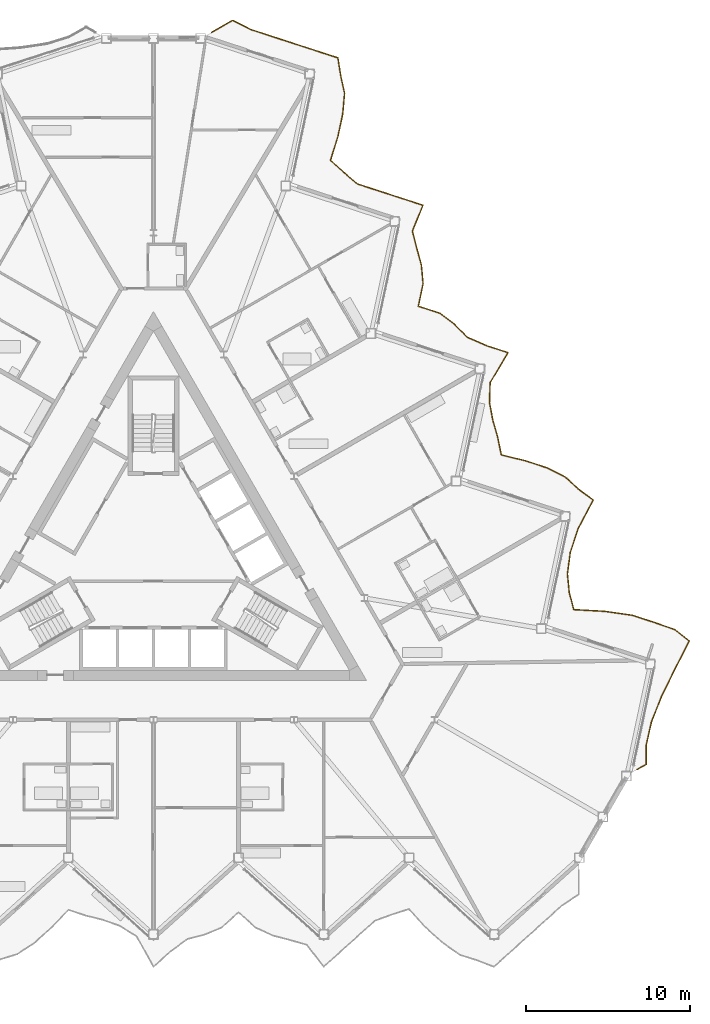
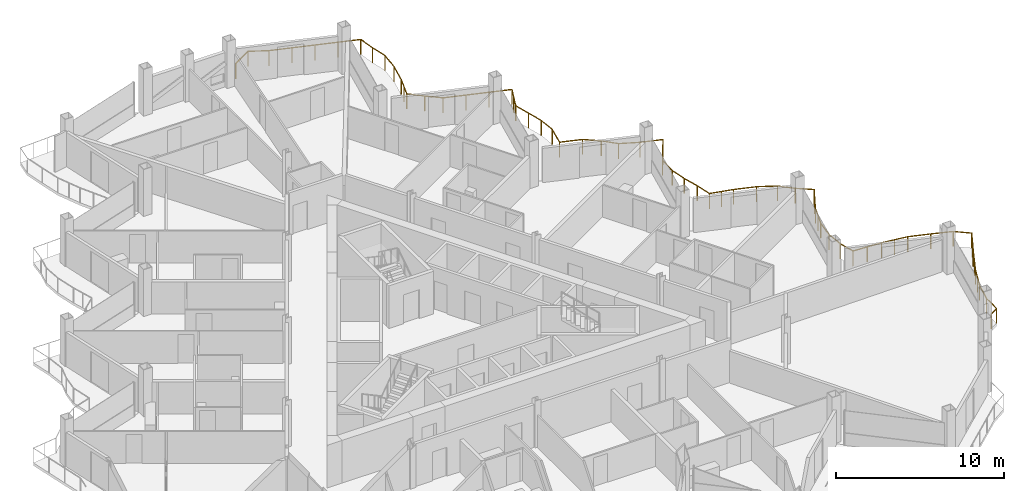
# One storey, part 24 of 26: 1 railing.
"""IFC4 building model written with IfcOpenShell, lengths in metres."""

from ifc_helpers import new_model, si_unit, direction, frame, origin, origin_2d, place, context, subcontext, project, spatial, circle, extrude, material, type_object, element, save


model = new_model("IFC4")

# Units and contexts
model_context = context("Model", 3, precision=1e-05, world=origin(), true_north=direction((0.0, 1.0)))
body_context = subcontext(model_context, "Body", "Model", "MODEL_VIEW")
ifc_project = project(units=[si_unit("LENGTHUNIT", "METRE"), si_unit("AREAUNIT", "SQUARE_METRE"), si_unit("VOLUMEUNIT", "CUBIC_METRE"), si_unit("PLANEANGLEUNIT", "RADIAN"), si_unit("MASSUNIT", "GRAM", prefix="KILO")], contexts=[model_context])

# Site, building, storey
site_placement = place(None, origin())
site = spatial("IfcSite", under=ifc_project, at=site_placement, CompositionType="ELEMENT")
building_placement = place(site_placement, origin())
building = spatial("IfcBuilding", under=site, at=building_placement, Name="Cormorant Prow Tower", CompositionType="ELEMENT")
storey_placement = place(building_placement, frame((0.0, 0.0, 329.0)))
storey = spatial("IfcBuildingStorey", under=building, at=storey_placement, Name="L73", CompositionType="ELEMENT", Elevation=329.0)

# Railing
ifc_material = material(Name="Aluminium 6063-T6", Category="aluminium")
railing_type = type_object("IfcRailingType", Name="Balcony guard 1100", PredefinedType="GUARDRAIL", material=ifc_material)
railing_placement = place(storey_placement, frame((29.526123046875, -12.944580078125, 0.0)))
element("IfcRailing", 1, at=railing_placement, inside=storey, type_object=railing_type, Name="Balcony guard ENE", PredefinedType="GUARDRAIL", context=body_context, shape_type="SweptSolid", body=[
    extrude(circle(Radius=0.02392578125, at=origin_2d()), frame((0.0, 0.0, 1.076171875), z_axis=(0.866204753408, 0.499689228594, 0.0), x_axis=(-0.499689228594, 0.866204753408, 0.0)), (0.0, 0.0, 1.0), 0.63623046875),
    extrude(circle(Radius=0.02392578125, at=origin_2d()), frame((0.551025390625, 0.31787109375, 1.076171875), z_axis=(0.003046908465, 0.999995358164, 0.0), x_axis=(-0.999995358164, 0.003046908465, 0.0)), (0.0, 0.0, 1.0), 1.201904296875),
    extrude(circle(Radius=0.02392578125, at=origin_2d()), frame((0.5546875, 1.519775390625, 1.076171875), z_axis=(0.221129028399, 0.975244560507, 0.0), x_axis=(-0.975244560507, 0.221129028399, 0.0)), (0.0, 0.0, 1.0), 1.41552734375),
    extrude(circle(Radius=0.02392578125, at=origin_2d()), frame((0.86767578125, 2.900146484375, 1.076171875), z_axis=(0.368116803068, 0.929779554141, 0.0), x_axis=(-0.929779554141, 0.368116803068, 0.0)), (0.0, 0.0, 1.0), 1.672607421875),
    extrude(circle(Radius=0.02392578125, at=origin_2d()), frame((1.4833984375, 4.455322265625, 1.076171875), z_axis=(0.441027763274, 0.897493460712, 0.0), x_axis=(-0.897493460712, 0.441027763274, 0.0)), (0.0, 0.0, 1.0), 1.8662109375),
    extrude(circle(Radius=0.02392578125, at=origin_2d()), frame((2.306396484375, 6.130126953125, 1.076171875), z_axis=(0.456267471414, 0.889842679651, 0.0), x_axis=(-0.889842679651, 0.456267471414, 0.0)), (0.0, 0.0, 1.0), 1.9150390625),
    extrude(circle(Radius=0.02392578125, at=origin_2d()), frame((3.18017578125, 7.834228515625, 1.076171875), z_axis=(-0.778575404599, 0.627551065137, 0.0), x_axis=(-0.627551065137, -0.778575404599, 0.0)), (0.0, 0.0, 1.0), 1.11376953125),
    extrude(circle(Radius=0.02392578125, at=origin_2d()), frame((2.31298828125, 8.533203125, 1.076171875), z_axis=(-0.943744416998, 0.330675785907, 0.0), x_axis=(-0.330675785907, -0.943744416998, 0.0)), (0.0, 0.0, 1.0), 1.370361328125),
    extrude(circle(Radius=0.02392578125, at=origin_2d()), frame((1.019775390625, 8.986328125, 1.076171875), z_axis=(-0.951031502071, 0.309093969641, 0.0), x_axis=(-0.309093969641, -0.951031502071, 0.0)), (0.0, 0.0, 1.0), 1.39794921875),
    extrude(circle(Radius=0.02392578125, at=origin_2d()), frame((-0.309814453125, 9.41845703125, 1.076171875), z_axis=(-0.990016090346, 0.140954392825, 0.0), x_axis=(-0.140954392825, -0.990016090346, 0.0)), (0.0, 0.0, 1.0), 1.68359375),
    extrude(circle(Radius=0.02392578125, at=origin_2d()), frame((-1.9765625, 9.65576171875, 1.076171875), z_axis=(-0.998423291898, 0.056133147036, 0.0), x_axis=(-0.056133147036, -0.998423291898, 0.0)), (0.0, 0.0, 1.0), 1.896240234375),
    extrude(circle(Radius=0.02392578125, at=origin_2d()), frame((-3.869873046875, 9.76220703125, 1.076171875), z_axis=(-0.255799063702, 0.966729972127, 0.0), x_axis=(-0.966729972127, -0.255799063702, 0.0)), (0.0, 0.0, 1.0), 1.07666015625),
    extrude(circle(Radius=0.02392578125, at=origin_2d()), frame((-4.145263671875, 10.802978515625, 1.076171875), z_axis=(-0.097808345794, 0.995205269024, 0.0), x_axis=(-0.995205269024, -0.097808345794, 0.0)), (0.0, 0.0, 1.0), 1.140625),
    extrude(circle(Radius=0.02392578125, at=origin_2d()), frame((-4.2568359375, 11.938232421875, 1.076171875), z_axis=(0.130343568202, 0.991468887171, 0.0), x_axis=(-0.991468887171, 0.130343568202, 0.0)), (0.0, 0.0, 1.0), 1.309326171875),
    extrude(circle(Radius=0.02392578125, at=origin_2d()), frame((-4.086181640625, 13.236328125, 1.076171875), z_axis=(0.312891848083, 0.949788761464, 0.0), x_axis=(-0.949788761464, 0.312891848083, 0.0)), (0.0, 0.0, 1.0), 1.559814453125),
    extrude(circle(Radius=0.02392578125, at=origin_2d()), frame((-3.59814453125, 14.7177734375, 1.076171875), z_axis=(0.467491502757, 0.883997564957, 0.0), x_axis=(-0.883997564957, 0.467491502757, 0.0)), (0.0, 0.0, 1.0), 1.95361328125),
    extrude(circle(Radius=0.02392578125, at=origin_2d()), frame((-2.684814453125, 16.44482421875, 1.076171875), z_axis=(-0.80549386199, 0.592604115997, 0.0), x_axis=(-0.592604115997, -0.80549386199, 0.0)), (0.0, 0.0, 1.0), 1.13427734375),
    extrude(circle(Radius=0.02392578125, at=origin_2d()), frame((-3.598388671875, 17.116943359375, 1.076171875), z_axis=(-0.73064395637, 0.682758675537, 0.0), x_axis=(-0.682758675537, -0.73064395637, 0.0)), (0.0, 0.0, 1.0), 1.0859375),
    extrude(circle(Radius=0.02392578125, at=origin_2d()), frame((-4.391845703125, 17.8583984375, 1.076171875), z_axis=(-0.894073755928, 0.447919768441, 0.0), x_axis=(-0.447919768441, -0.894073755928, 0.0)), (0.0, 0.0, 1.0), 1.244384765625),
    extrude(circle(Radius=0.02392578125, at=origin_2d()), frame((-5.50439453125, 18.415771484375, 1.076171875), z_axis=(-0.951031502071, 0.309093969641, 0.0), x_axis=(-0.309093969641, -0.951031502071, 0.0)), (0.0, 0.0, 1.0), 1.39794921875),
    extrude(circle(Radius=0.02392578125, at=origin_2d()), frame((-6.833984375, 18.847900390625, 1.076171875), z_axis=(-0.971641406647, 0.236459249956, 0.0), x_axis=(-0.236459249956, -0.971641406647, 0.0)), (0.0, 0.0, 1.0), 1.50439453125),
    extrude(circle(Radius=0.02392578125, at=origin_2d()), frame((-8.295654296875, 19.20361328125, 1.076171875), z_axis=(-0.197786343322, 0.980245154232, 0.0), x_axis=(-0.980245154232, -0.197786343322, 0.0)), (0.0, 0.0, 1.0), 1.09619140625),
    extrude(circle(Radius=0.02392578125, at=origin_2d()), frame((-8.512451171875, 20.278076171875, 1.076171875), z_axis=(-0.27661809611, 0.960979931582, 0.0), x_axis=(-0.960979931582, -0.27661809611, 0.0)), (0.0, 0.0, 1.0), 1.070556640625),
    extrude(circle(Radius=0.02392578125, at=origin_2d()), frame((-8.80859375, 21.306884765625, 1.076171875), z_axis=(-0.18420823114, 0.982887240522, 0.0), x_axis=(-0.982887240522, -0.18420823114, 0.0)), (0.0, 0.0, 1.0), 1.101318359375),
    extrude(circle(Radius=0.02392578125, at=origin_2d()), frame((-9.011474609375, 22.389404296875, 1.076171875), z_axis=(0.029005201679, 0.999579260627, 0.0), x_axis=(-0.999579260627, 0.029005201679, 0.0)), (0.0, 0.0, 1.0), 1.220458984375),
    extrude(circle(Radius=0.02392578125, at=origin_2d()), frame((-8.97607421875, 23.609375, 1.076171875), z_axis=(0.513419619351, 0.85813768969, 0.0), x_axis=(-0.85813768969, 0.513419619351, 0.0)), (0.0, 0.0, 1.0), 2.135986328125),
    extrude(circle(Radius=0.02392578125, at=origin_2d()), frame((-7.87939453125, 25.4423828125, 1.076171875), z_axis=(-0.95108282544, 0.308936011422, 0.0), x_axis=(-0.308936011422, -0.95108282544, 0.0)), (0.0, 0.0, 1.0), 1.39794921875),
    extrude(circle(Radius=0.02392578125, at=origin_2d()), frame((-9.208984375, 25.874267578125, 1.076171875), z_axis=(-0.914732263539, 0.404060497996, 0.0), x_axis=(-0.404060497996, -0.914732263539, 0.0)), (0.0, 0.0, 1.0), 1.286865234375),
    extrude(circle(Radius=0.02392578125, at=origin_2d()), frame((-10.38623046875, 26.394287109375, 1.076171875), z_axis=(-0.700592186482, 0.713561902178, 0.0), x_axis=(-0.713561902178, -0.700592186482, 0.0)), (0.0, 0.0, 1.0), 1.072998046875),
    extrude(circle(Radius=0.02392578125, at=origin_2d()), frame((-11.137939453125, 27.159912109375, 1.076171875), z_axis=(-0.792510941988, 0.609857693917, 0.0), x_axis=(-0.609857693917, -0.792510941988, 0.0)), (0.0, 0.0, 1.0), 1.1240234375),
    extrude(circle(Radius=0.02392578125, at=origin_2d()), frame((-12.02880859375, 27.845458984375, 1.076171875), z_axis=(-0.95108282544, 0.308936011422, 0.0), x_axis=(-0.308936011422, -0.95108282544, 0.0)), (0.0, 0.0, 1.0), 1.39794921875),
    extrude(circle(Radius=0.02392578125, at=origin_2d()), frame((-13.3583984375, 28.27734375, 1.076171875), z_axis=(0.207990337228, 0.978130880619, 0.0), x_axis=(-0.978130880619, 0.207990337228, 0.0)), (0.0, 0.0, 1.0), 1.39794921875),
    extrude(circle(Radius=0.02392578125, at=origin_2d()), frame((-13.067626953125, 29.644775390625, 1.076171875), z_axis=(-0.090439585375, 0.995901943666, 0.0), x_axis=(-0.995901943666, -0.090439585375, 0.0)), (0.0, 0.0, 1.0), 1.14453125),
    extrude(circle(Radius=0.02392578125, at=origin_2d()), frame((-13.171142578125, 30.78466796875, 1.076171875), z_axis=(-0.262367704354, 0.964967972376, 0.0), x_axis=(-0.964967972376, -0.262367704354, 0.0)), (0.0, 0.0, 1.0), 1.07470703125),
    extrude(circle(Radius=0.02392578125, at=origin_2d()), frame((-13.453125, 31.82177734375, 1.076171875), z_axis=(-0.245354615478, 0.969433397745, 0.0), x_axis=(-0.969433397745, -0.245354615478, 0.0)), (0.0, 0.0, 1.0), 1.07958984375),
    extrude(circle(Radius=0.02392578125, at=origin_2d()), frame((-13.718017578125, 32.868408203125, 1.076171875), z_axis=(0.379136640901, 0.925340698082, 0.0), x_axis=(-0.925340698082, 0.379136640901, 0.0)), (0.0, 0.0, 1.0), 1.697998046875),
    extrude(circle(Radius=0.02392578125, at=origin_2d()), frame((-13.07421875, 34.439697265625, 1.076171875), z_axis=(-0.951031502071, 0.309093969641, 0.0), x_axis=(-0.309093969641, -0.951031502071, 0.0)), (0.0, 0.0, 1.0), 1.39794921875),
    extrude(circle(Radius=0.02392578125, at=origin_2d()), frame((-14.40380859375, 34.871826171875, 1.076171875), z_axis=(-0.951031502071, 0.309093969641, 0.0), x_axis=(-0.309093969641, -0.951031502071, 0.0)), (0.0, 0.0, 1.0), 1.39794921875),
    extrude(circle(Radius=0.02392578125, at=origin_2d()), frame((-15.7333984375, 35.303955078125, 1.076171875), z_axis=(-0.95108282544, 0.308936011422, 0.0), x_axis=(-0.308936011422, -0.95108282544, 0.0)), (0.0, 0.0, 1.0), 1.39794921875),
    extrude(circle(Radius=0.02392578125, at=origin_2d()), frame((-17.06298828125, 35.73583984375, 1.076171875), z_axis=(-0.767297974919, 0.64129074349, 0.0), x_axis=(-0.64129074349, -0.767297974919, 0.0)), (0.0, 0.0, 1.0), 1.106201171875),
    extrude(circle(Radius=0.02392578125, at=origin_2d()), frame((-17.911865234375, 36.4453125, 1.076171875), z_axis=(-0.741244268081, 0.671235379756, 0.0), x_axis=(-0.671235379756, -0.741244268081, 0.0)), (0.0, 0.0, 1.0), 1.091552734375),
    extrude(circle(Radius=0.02392578125, at=origin_2d()), frame((-18.720947265625, 37.177978515625, 1.076171875), z_axis=(0.29894528299, 0.954270254057, 0.0), x_axis=(-0.954270254057, 0.29894528299, 0.0)), (0.0, 0.0, 1.0), 1.534423828125),
    extrude(circle(Radius=0.02392578125, at=origin_2d()), frame((-18.26220703125, 38.642333984375, 1.076171875), z_axis=(0.207823247792, 0.9781663957, 0.0), x_axis=(-0.9781663957, 0.207823247792, 0.0)), (0.0, 0.0, 1.0), 1.39794921875),
    extrude(circle(Radius=0.02392578125, at=origin_2d()), frame((-17.9716796875, 40.009765625, 1.076171875), z_axis=(0.087742187923, 0.996143216841, 0.0), x_axis=(-0.996143216841, 0.087742187923, 0.0)), (0.0, 0.0, 1.0), 1.268798828125),
    extrude(circle(Radius=0.02392578125, at=origin_2d()), frame((-17.8603515625, 41.273681640625, 1.076171875), z_axis=(-0.214558424131, 0.976711156194, 0.0), x_axis=(-0.976711156194, -0.214558424131, 0.0)), (0.0, 0.0, 1.0), 1.090087890625),
    extrude(circle(Radius=0.02392578125, at=origin_2d()), frame((-18.09423828125, 42.33837890625, 1.076171875), z_axis=(-0.156886448113, 0.98761664749, 0.0), x_axis=(-0.98761664749, -0.156886448113, 0.0)), (0.0, 0.0, 1.0), 1.112548828125),
    extrude(circle(Radius=0.02392578125, at=origin_2d()), frame((-18.268798828125, 43.437255859375, 1.076171875), z_axis=(-0.951031502071, 0.309093969641, 0.0), x_axis=(-0.309093969641, -0.951031502071, 0.0)), (0.0, 0.0, 1.0), 1.39794921875),
    extrude(circle(Radius=0.02392578125, at=origin_2d()), frame((-19.598388671875, 43.869384765625, 1.076171875), z_axis=(-0.95108282544, 0.308936011422, 0.0), x_axis=(-0.308936011422, -0.95108282544, 0.0)), (0.0, 0.0, 1.0), 1.39794921875),
    extrude(circle(Radius=0.02392578125, at=origin_2d()), frame((-20.927978515625, 44.30126953125, 1.076171875), z_axis=(-0.951031502071, 0.309093969641, 0.0), x_axis=(-0.309093969641, -0.951031502071, 0.0)), (0.0, 0.0, 1.0), 1.39794921875),
    extrude(circle(Radius=0.02392578125, at=origin_2d()), frame((-22.257568359375, 44.7333984375, 1.076171875), z_axis=(-0.95108282544, 0.308936011422, 0.0), x_axis=(-0.308936011422, -0.95108282544, 0.0)), (0.0, 0.0, 1.0), 1.39794921875),
    extrude(circle(Radius=0.02392578125, at=origin_2d()), frame((-23.587158203125, 45.165283203125, 1.076171875), z_axis=(-0.893680068618, 0.448704730257, 0.0), x_axis=(-0.448704730257, -0.893680068618, 0.0)), (0.0, 0.0, 1.0), 1.243896484375),
    extrude(circle(Radius=0.02392578125, at=origin_2d()), frame((-24.69873046875, 45.723388671875, 1.076171875), z_axis=(-0.865978411185, -0.500081384739, 0.0), x_axis=(0.500081384739, -0.865978411185, 0.0)), (0.0, 0.0, 1.0), 1.471923828125),
    extrude(circle(Radius=0.02099609375, at=origin_2d()), origin(), (0.0, 0.0, 1.0), 1.052001953125),
    extrude(circle(Radius=0.02099609375, at=origin_2d()), frame((0.551025390625, 0.31787109375, 0.0)), (0.0, 0.0, 1.0), 1.052001953125),
    extrude(circle(Radius=0.02099609375, at=origin_2d()), frame((0.5546875, 1.519775390625, 0.0)), (0.0, 0.0, 1.0), 1.052001953125),
    extrude(circle(Radius=0.02099609375, at=origin_2d()), frame((0.86767578125, 2.900146484375, 0.0)), (0.0, 0.0, 1.0), 1.052001953125),
    extrude(circle(Radius=0.02099609375, at=origin_2d()), frame((1.175537109375, 3.677734375, 0.0)), (0.0, 0.0, 1.0), 1.052001953125),
    extrude(circle(Radius=0.02099609375, at=origin_2d()), frame((1.4833984375, 4.455322265625, 0.0)), (0.0, 0.0, 1.0), 1.052001953125),
    extrude(circle(Radius=0.02099609375, at=origin_2d()), frame((1.89501953125, 5.292724609375, 0.0)), (0.0, 0.0, 1.0), 1.052001953125),
    extrude(circle(Radius=0.02099609375, at=origin_2d()), frame((2.306396484375, 6.130126953125, 0.0)), (0.0, 0.0, 1.0), 1.052001953125),
    extrude(circle(Radius=0.02099609375, at=origin_2d()), frame((2.7431640625, 6.982177734375, 0.0)), (0.0, 0.0, 1.0), 1.052001953125),
    extrude(circle(Radius=0.02099609375, at=origin_2d()), frame((3.18017578125, 7.834228515625, 0.0)), (0.0, 0.0, 1.0), 1.052001953125),
    extrude(circle(Radius=0.02099609375, at=origin_2d()), frame((2.31298828125, 8.533203125, 0.0)), (0.0, 0.0, 1.0), 1.052001953125),
    extrude(circle(Radius=0.02099609375, at=origin_2d()), frame((1.019775390625, 8.986328125, 0.0)), (0.0, 0.0, 1.0), 1.052001953125),
    extrude(circle(Radius=0.02099609375, at=origin_2d()), frame((-0.309814453125, 9.41845703125, 0.0)), (0.0, 0.0, 1.0), 1.052001953125),
    extrude(circle(Radius=0.02099609375, at=origin_2d()), frame((-1.14306640625, 9.537109375, 0.0)), (0.0, 0.0, 1.0), 1.052001953125),
    extrude(circle(Radius=0.02099609375, at=origin_2d()), frame((-1.9765625, 9.65576171875, 0.0)), (0.0, 0.0, 1.0), 1.052001953125),
    extrude(circle(Radius=0.02099609375, at=origin_2d()), frame((-2.92333984375, 9.708984375, 0.0)), (0.0, 0.0, 1.0), 1.052001953125),
    extrude(circle(Radius=0.02099609375, at=origin_2d()), frame((-3.869873046875, 9.76220703125, 0.0)), (0.0, 0.0, 1.0), 1.052001953125),
    extrude(circle(Radius=0.02099609375, at=origin_2d()), frame((-4.145263671875, 10.802978515625, 0.0)), (0.0, 0.0, 1.0), 1.052001953125),
    extrude(circle(Radius=0.02099609375, at=origin_2d()), frame((-4.2568359375, 11.938232421875, 0.0)), (0.0, 0.0, 1.0), 1.052001953125),
    extrude(circle(Radius=0.02099609375, at=origin_2d()), frame((-4.086181640625, 13.236328125, 0.0)), (0.0, 0.0, 1.0), 1.052001953125),
    extrude(circle(Radius=0.02099609375, at=origin_2d()), frame((-3.84228515625, 13.97705078125, 0.0)), (0.0, 0.0, 1.0), 1.052001953125),
    extrude(circle(Radius=0.02099609375, at=origin_2d()), frame((-3.59814453125, 14.7177734375, 0.0)), (0.0, 0.0, 1.0), 1.052001953125),
    extrude(circle(Radius=0.02099609375, at=origin_2d()), frame((-3.1416015625, 15.581298828125, 0.0)), (0.0, 0.0, 1.0), 1.052001953125),
    extrude(circle(Radius=0.02099609375, at=origin_2d()), frame((-2.684814453125, 16.44482421875, 0.0)), (0.0, 0.0, 1.0), 1.052001953125),
    extrude(circle(Radius=0.02099609375, at=origin_2d()), frame((-3.598388671875, 17.116943359375, 0.0)), (0.0, 0.0, 1.0), 1.052001953125),
    extrude(circle(Radius=0.02099609375, at=origin_2d()), frame((-4.391845703125, 17.8583984375, 0.0)), (0.0, 0.0, 1.0), 1.052001953125),
    extrude(circle(Radius=0.02099609375, at=origin_2d()), frame((-5.50439453125, 18.415771484375, 0.0)), (0.0, 0.0, 1.0), 1.052001953125),
    extrude(circle(Radius=0.02099609375, at=origin_2d()), frame((-6.833984375, 18.847900390625, 0.0)), (0.0, 0.0, 1.0), 1.052001953125),
    extrude(circle(Radius=0.02099609375, at=origin_2d()), frame((-7.56494140625, 19.02587890625, 0.0)), (0.0, 0.0, 1.0), 1.052001953125),
    extrude(circle(Radius=0.02099609375, at=origin_2d()), frame((-8.295654296875, 19.20361328125, 0.0)), (0.0, 0.0, 1.0), 1.052001953125),
    extrude(circle(Radius=0.02099609375, at=origin_2d()), frame((-8.512451171875, 20.278076171875, 0.0)), (0.0, 0.0, 1.0), 1.052001953125),
    extrude(circle(Radius=0.02099609375, at=origin_2d()), frame((-8.80859375, 21.306884765625, 0.0)), (0.0, 0.0, 1.0), 1.052001953125),
    extrude(circle(Radius=0.02099609375, at=origin_2d()), frame((-9.011474609375, 22.389404296875, 0.0)), (0.0, 0.0, 1.0), 1.052001953125),
    extrude(circle(Radius=0.02099609375, at=origin_2d()), frame((-8.97607421875, 23.609375, 0.0)), (0.0, 0.0, 1.0), 1.052001953125),
    extrude(circle(Radius=0.02099609375, at=origin_2d()), frame((-8.427734375, 24.52587890625, 0.0)), (0.0, 0.0, 1.0), 1.052001953125),
    extrude(circle(Radius=0.02099609375, at=origin_2d()), frame((-7.87939453125, 25.4423828125, 0.0)), (0.0, 0.0, 1.0), 1.052001953125),
    extrude(circle(Radius=0.02099609375, at=origin_2d()), frame((-9.208984375, 25.874267578125, 0.0)), (0.0, 0.0, 1.0), 1.052001953125),
    extrude(circle(Radius=0.02099609375, at=origin_2d()), frame((-10.38623046875, 26.394287109375, 0.0)), (0.0, 0.0, 1.0), 1.052001953125),
    extrude(circle(Radius=0.02099609375, at=origin_2d()), frame((-11.137939453125, 27.159912109375, 0.0)), (0.0, 0.0, 1.0), 1.052001953125),
    extrude(circle(Radius=0.02099609375, at=origin_2d()), frame((-12.02880859375, 27.845458984375, 0.0)), (0.0, 0.0, 1.0), 1.052001953125),
    extrude(circle(Radius=0.02099609375, at=origin_2d()), frame((-13.3583984375, 28.27734375, 0.0)), (0.0, 0.0, 1.0), 1.052001953125),
    extrude(circle(Radius=0.02099609375, at=origin_2d()), frame((-13.067626953125, 29.644775390625, 0.0)), (0.0, 0.0, 1.0), 1.052001953125),
    extrude(circle(Radius=0.02099609375, at=origin_2d()), frame((-13.171142578125, 30.78466796875, 0.0)), (0.0, 0.0, 1.0), 1.052001953125),
    extrude(circle(Radius=0.02099609375, at=origin_2d()), frame((-13.453125, 31.82177734375, 0.0)), (0.0, 0.0, 1.0), 1.052001953125),
    extrude(circle(Radius=0.02099609375, at=origin_2d()), frame((-13.718017578125, 32.868408203125, 0.0)), (0.0, 0.0, 1.0), 1.052001953125),
    extrude(circle(Radius=0.02099609375, at=origin_2d()), frame((-13.39599609375, 33.654052734375, 0.0)), (0.0, 0.0, 1.0), 1.052001953125),
    extrude(circle(Radius=0.02099609375, at=origin_2d()), frame((-13.07421875, 34.439697265625, 0.0)), (0.0, 0.0, 1.0), 1.052001953125),
    extrude(circle(Radius=0.02099609375, at=origin_2d()), frame((-14.40380859375, 34.871826171875, 0.0)), (0.0, 0.0, 1.0), 1.052001953125),
    extrude(circle(Radius=0.02099609375, at=origin_2d()), frame((-15.7333984375, 35.303955078125, 0.0)), (0.0, 0.0, 1.0), 1.052001953125),
    extrude(circle(Radius=0.02099609375, at=origin_2d()), frame((-17.06298828125, 35.73583984375, 0.0)), (0.0, 0.0, 1.0), 1.052001953125),
    extrude(circle(Radius=0.02099609375, at=origin_2d()), frame((-17.911865234375, 36.4453125, 0.0)), (0.0, 0.0, 1.0), 1.052001953125),
    extrude(circle(Radius=0.02099609375, at=origin_2d()), frame((-18.720947265625, 37.177978515625, 0.0)), (0.0, 0.0, 1.0), 1.052001953125),
    extrude(circle(Radius=0.02099609375, at=origin_2d()), frame((-18.49169921875, 37.91015625, 0.0)), (0.0, 0.0, 1.0), 1.052001953125),
    extrude(circle(Radius=0.02099609375, at=origin_2d()), frame((-18.26220703125, 38.642333984375, 0.0)), (0.0, 0.0, 1.0), 1.052001953125),
    extrude(circle(Radius=0.02099609375, at=origin_2d()), frame((-17.9716796875, 40.009765625, 0.0)), (0.0, 0.0, 1.0), 1.052001953125),
    extrude(circle(Radius=0.02099609375, at=origin_2d()), frame((-17.8603515625, 41.273681640625, 0.0)), (0.0, 0.0, 1.0), 1.052001953125),
    extrude(circle(Radius=0.02099609375, at=origin_2d()), frame((-18.09423828125, 42.33837890625, 0.0)), (0.0, 0.0, 1.0), 1.052001953125),
    extrude(circle(Radius=0.02099609375, at=origin_2d()), frame((-18.268798828125, 43.437255859375, 0.0)), (0.0, 0.0, 1.0), 1.052001953125),
    extrude(circle(Radius=0.02099609375, at=origin_2d()), frame((-19.598388671875, 43.869384765625, 0.0)), (0.0, 0.0, 1.0), 1.052001953125),
    extrude(circle(Radius=0.02099609375, at=origin_2d()), frame((-20.927978515625, 44.30126953125, 0.0)), (0.0, 0.0, 1.0), 1.052001953125),
    extrude(circle(Radius=0.02099609375, at=origin_2d()), frame((-22.257568359375, 44.7333984375, 0.0)), (0.0, 0.0, 1.0), 1.052001953125),
    extrude(circle(Radius=0.02099609375, at=origin_2d()), frame((-23.587158203125, 45.165283203125, 0.0)), (0.0, 0.0, 1.0), 1.052001953125),
    extrude(circle(Radius=0.02099609375, at=origin_2d()), frame((-24.69873046875, 45.723388671875, 0.0)), (0.0, 0.0, 1.0), 1.052001953125),
    extrude(circle(Radius=0.02099609375, at=origin_2d()), frame((-25.973388671875, 44.9873046875, 0.0)), (0.0, 0.0, 1.0), 1.052001953125),
])

save(model, "model.ifc")
